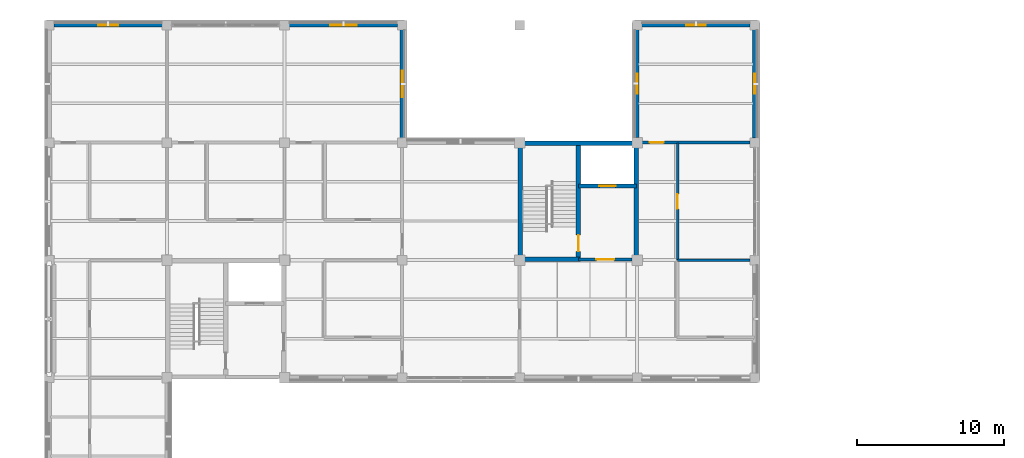
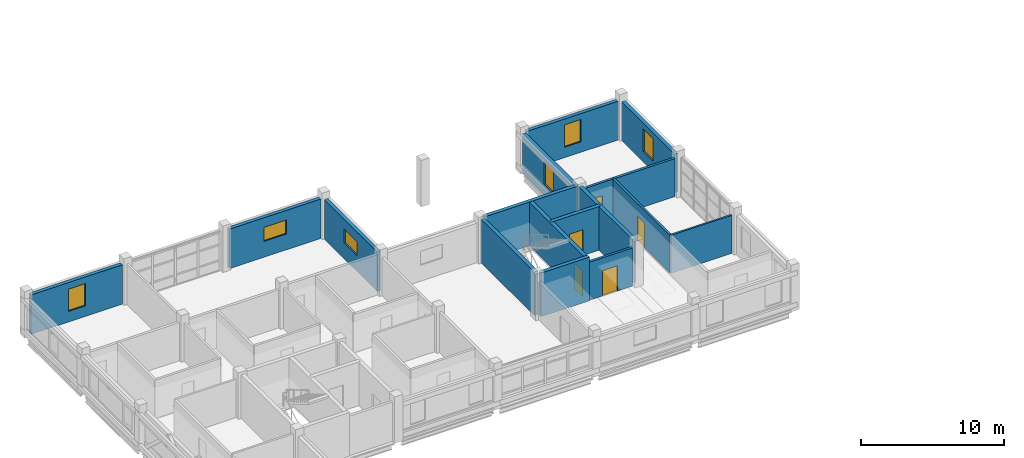
# One storey, part 80 of 107: 16 walls, 6 windows, 5 doors, 11 openings.
"""IFC4 building model written with IfcOpenShell, lengths in metres."""

import ifcopenshell
import ifcopenshell.guid

model = None  # the IFC model being written
_history = None  # IfcOwnerHistory: only IFC2X3 demands one
_inside = {}  # id of a spatial element -> (the spatial element, [elements in it])
_under = {}  # id of a project, library or spatial element -> (it, [spatial elements below it])
_declared = {}  # id of a project -> (the project, [libraries it declares])
_typed = {}  # id of a type object -> (the type object, [elements of that type])
_made_of = {}  # id of a material, layer set ... -> (it, [elements and type objects made of it])


def new_model(schema):
    """Start an empty IFC model of exactly this schema.

    Asked for "IFC4X3", IfcOpenShell would pick the latest addendum, in which some entities
    have other attributes; the version numbers below select the first issue.
    IFC2X3 requires an IfcOwnerHistory on every rooted entity: one is made here for all.
    """
    global model, _history
    if schema == "IFC4X3":
        model = ifcopenshell.file(schema_version=(4, 3, 0, 0))
    else:
        model = ifcopenshell.file(schema=schema)
    _inside.clear()
    _under.clear()
    _declared.clear()
    _typed.clear()
    _made_of.clear()
    _history = None
    if model.schema == "IFC2X3":
        org = make("IfcOrganization", Name="unknown")
        user = make(
            "IfcPersonAndOrganization",
            ThePerson=make("IfcPerson", FamilyName="unknown"),
            TheOrganization=org,
        )
        app = make(
            "IfcApplication",
            ApplicationDeveloper=org,
            Version="unknown",
            ApplicationFullName="unknown",
            ApplicationIdentifier="unknown",
        )
        _history = make(
            "IfcOwnerHistory",
            OwningUser=user,
            OwningApplication=app,
            ChangeAction="ADDED",
            CreationDate=0,
        )
    return model


def make(cls, **values):
    """One entity of the class cls with the attributes given. An attribute that is None is left unset."""
    return model.create_entity(
        cls, **{name: value for name, value in values.items() if value is not None}
    )


def rooted(cls, **values):
    """An entity with a GlobalId (a new one), such as an element, a storey or a relation."""
    return make(cls, GlobalId=ifcopenshell.guid.new(), OwnerHistory=_history, **values)


def si_unit(unit_type, name, prefix=None):
    """IfcSIUnit, for example si_unit("LENGTHUNIT", "METRE", prefix="MILLI")."""
    return make("IfcSIUnit", UnitType=unit_type, Prefix=prefix, Name=name)


def derived_unit(unit_type, elements):
    """IfcDerivedUnit: a product of units, each with its exponent."""
    return make(
        "IfcDerivedUnit",
        Elements=[
            make("IfcDerivedUnitElement", Unit=unit, Exponent=power)
            for unit, power in elements
        ],
        UnitType=unit_type,
    )


def assignment(units):
    """IfcUnitAssignment: the units of a project."""
    return None if units is None else make("IfcUnitAssignment", Units=units)


def point(xyz):
    """IfcCartesianPoint."""
    return None if xyz is None else make("IfcCartesianPoint", Coordinates=xyz)


def direction(xyz):
    """IfcDirection."""
    return None if xyz is None else make("IfcDirection", DirectionRatios=xyz)


def frame(location, z_axis=None, x_axis=None):
    """IfcAxis2Placement3D, a coordinate frame: its origin and axes. An axis left out is left unset."""
    return make(
        "IfcAxis2Placement3D",
        Location=point(location),
        Axis=direction(z_axis),
        RefDirection=direction(x_axis),
    )


def frame_2d(location, x_axis=None):
    """IfcAxis2Placement2D, a coordinate frame in the plane: its origin and x axis."""
    return make(
        "IfcAxis2Placement2D", Location=point(location), RefDirection=direction(x_axis)
    )


def origin():
    """The frame at (0, 0, 0) with its axes left unset."""
    return frame((0.0, 0.0, 0.0))


def place(relative_to, where):
    """IfcLocalPlacement: puts the frame where relative to a parent placement (None: the world)."""
    return make(
        "IfcLocalPlacement", PlacementRelTo=relative_to, RelativePlacement=where
    )


def context(
    kind, dimensions, precision=None, world=None, true_north=None, identifier=None
):
    """IfcGeometricRepresentationContext, for example the 3D "Model" context."""
    return make(
        "IfcGeometricRepresentationContext",
        ContextIdentifier=identifier,
        ContextType=kind,
        CoordinateSpaceDimension=dimensions,
        Precision=precision,
        WorldCoordinateSystem=world,
        TrueNorth=true_north,
    )


def subcontext(parent, identifier, kind, view, scale=None):
    """IfcGeometricRepresentationSubContext, for example "Body" below "Model"."""
    return make(
        "IfcGeometricRepresentationSubContext",
        ContextIdentifier=identifier,
        ContextType=kind,
        ParentContext=parent,
        TargetScale=scale,
        TargetView=view,
    )


def project(units=None, contexts=None):
    """IfcProject with its units and contexts."""
    return rooted(
        "IfcProject",
        Name="project",
        RepresentationContexts=contexts,
        UnitsInContext=assignment(units),
    )


def spatial(cls, under=None, at=None, **own):
    """A site, building, storey or space (cls), placed at a placement, below another one or the project."""
    s = rooted(cls, ObjectPlacement=at, **own)
    if under is not None:
        _under.setdefault(under.id(), (under, []))[1].append(s)
    return s


def profile(cls, at=None, kind="AREA", **sizes):
    """A parametric profile (cls). Its sizes go by their IFC names, for example OverallWidth=200.0."""
    return make(cls, ProfileType=kind, Position=at, **sizes)


def rectangle(**sizes):
    """IfcRectangleProfileDef."""
    return profile("IfcRectangleProfileDef", **sizes)


def extrude(swept, where, along, depth):
    """IfcExtrudedAreaSolid: the profile swept, set in the frame where, extruded along a direction by depth."""
    return make(
        "IfcExtrudedAreaSolid",
        SweptArea=swept,
        Position=where,
        ExtrudedDirection=direction(along),
        Depth=depth,
    )


def shape(context_of_items, identifier, shape_type, items):
    """IfcShapeRepresentation: the items that make up one representation, for example the "Body"."""
    return make(
        "IfcShapeRepresentation",
        ContextOfItems=context_of_items,
        RepresentationIdentifier=identifier,
        RepresentationType=shape_type,
        Items=items,
    )


def material(Name=None, Category=None):
    """IfcMaterial."""
    return make("IfcMaterial", Name=Name, Category=Category)


def layer(
    of_material, thickness, ventilated=None, Name=None, Category=None, Priority=None
):
    """IfcMaterialLayer: one layer of a wall or slab, of a material (None: an air gap)."""
    return make(
        "IfcMaterialLayer",
        Material=of_material,
        LayerThickness=thickness,
        IsVentilated=ventilated,
        Name=Name,
        Category=Category,
        Priority=Priority,
    )


def layer_set(layers, Name=None):
    """IfcMaterialLayerSet."""
    return make("IfcMaterialLayerSet", MaterialLayers=layers, LayerSetName=Name)


def made_of(thing, what):
    """Note that an element or type object is made of a material, layer set ...; save() writes the relation."""
    if what is not None:
        _made_of.setdefault(what.id(), (what, []))[1].append(thing)
    return thing


def type_object(cls, material=None, **own):
    """A type object (cls), such as IfcWallType, which elements share."""
    return made_of(rooted(cls, **own), material)


def element(
    cls,
    number,
    at=None,
    inside=None,
    cuts=None,
    type_object=None,
    material=None,
    context=None,
    identifier="Body",
    shape_type=None,
    held_by="IfcProductDefinitionShape",
    body=None,
    shapes=None,
    **own,
):
    """One element of the class cls, such as IfcWall. Its Tag is "e" and its number.

    at: its placement. inside: the storey or other place that contains it. cuts: it is an
    opening in that element (IfcRelVoidsElement). A single representation is given by context,
    identifier, shape_type and body (its items); several are given by shapes. held_by: the class
    of the entity that holds the representations. save() writes the other relations.
    """
    e = rooted(cls, Tag="e%d" % number, ObjectPlacement=at, **own)
    if body is not None:
        shapes = [shape(context, identifier, shape_type, body)]
    if shapes is not None:
        e.Representation = make(held_by, Representations=shapes)
    if inside is not None:
        _inside.setdefault(inside.id(), (inside, []))[1].append(e)
    if cuts is not None:
        rooted(
            "IfcRelVoidsElement", RelatingBuildingElement=cuts, RelatedOpeningElement=e
        )
    if type_object is not None:
        _typed.setdefault(type_object.id(), (type_object, []))[1].append(e)
    return made_of(e, material)


def fill(opening, filler):
    """IfcRelFillsElement: the door or window that sits in an opening."""
    return rooted(
        "IfcRelFillsElement",
        RelatingOpeningElement=opening,
        RelatedBuildingElement=filler,
    )


def aggregate(whole, parts):
    """IfcRelAggregates: a whole, such as a stair, and the parts it consists of."""
    return rooted("IfcRelAggregates", RelatingObject=whole, RelatedObjects=parts)


def save(model, path):
    """Write the relations noted so far, then the file.

    IfcRelAggregates (storeys below a building ...), IfcRelContainedInSpatialStructure (elements
    in a storey), IfcRelDefinesByType, IfcRelAssociatesMaterial and IfcRelDeclares: one each for
    every whole, place, type object, material and project.
    """
    for whole, parts in _under.values():
        aggregate(whole, parts)
    for where, things in _inside.values():
        rooted(
            "IfcRelContainedInSpatialStructure",
            RelatedElements=things,
            RelatingStructure=where,
        )
    for kind, things in _typed.values():
        rooted("IfcRelDefinesByType", RelatedObjects=things, RelatingType=kind)
    for what, things in _made_of.values():
        rooted("IfcRelAssociatesMaterial", RelatedObjects=things, RelatingMaterial=what)
    for by, libraries in _declared.values():
        rooted("IfcRelDeclares", RelatingContext=by, RelatedDefinitions=libraries)
    model.write(path)


model = new_model("IFC4")

# Units and contexts
model_context = context("Model", 3, precision=1e-05, world=origin(), true_north=direction((0.0, 1.0)))
body_context = subcontext(model_context, "Body", "Model", "MODEL_VIEW")
ifc_project = project(units=[si_unit("LENGTHUNIT", "METRE"), si_unit("AREAUNIT", "SQUARE_METRE"), si_unit("VOLUMEUNIT", "CUBIC_METRE"), si_unit("PLANEANGLEUNIT", "RADIAN"), si_unit("MASSUNIT", "GRAM", prefix="KILO"), derived_unit("THERMALTRANSMITTANCEUNIT", [(si_unit("MASSUNIT", "GRAM", prefix="KILO"), 1), (si_unit("TIMEUNIT", "SECOND"), -3), (si_unit("THERMODYNAMICTEMPERATUREUNIT", "KELVIN"), -1)])], contexts=[model_context])

# Site, building, storey
site_placement = place(None, origin())
site = spatial("IfcSite", under=ifc_project, at=site_placement, CompositionType="ELEMENT")
building_placement = place(site_placement, origin())
building = spatial("IfcBuilding", under=site, at=building_placement, Name="Veyamyaing Civic Hall", CompositionType="ELEMENT")
storey_placement = place(building_placement, frame((0.0, 0.0, 13.860107421875)))
storey = spatial("IfcBuildingStorey", under=building, at=storey_placement, Name="L03", CompositionType="ELEMENT", Elevation=13.860107421875)

# Wall, opening, window
ifc_material_1 = material(Name="Precast concrete C40/50", Category="concrete")
ifc_layer_1 = layer(ifc_material_1, 0.280029296875, Name="Precast concrete C40/50")
ifc_layer_set_1 = layer_set([ifc_layer_1], Name="Precast concrete C40/50")
wall_type_1 = type_object("IfcWallType", Name="WT-04", PredefinedType="SOLIDWALL", material=ifc_layer_set_1)
wall_1_placement = place(storey_placement, frame((0.31005859375, 112.0, 0.0), z_axis=(0.0, 0.0, 1.0), x_axis=(1.0, 0.0, 0.0)))
wall_1 = element("IfcWall", 1, at=wall_1_placement, inside=storey, type_object=wall_type_1, Name="Exterior facade wall WT-04 L03 N 1.14", PredefinedType="SOLIDWALL", context=body_context, shape_type="SweptSolid", body=[
    extrude(rectangle(XDim=7.3798828125, YDim=0.280029296875, at=frame_2d((3.68994140625, 0.0))), origin(), (0.0, 0.0, 1.0), 3.364013671875),
])
opening_1_placement = place(wall_1_placement, frame((3.014892578125, 0.0, 0.89990234375)))
opening_1 = element("IfcOpeningElement", 2, at=opening_1_placement, cuts=wall_1, Name="Opening W-13", PredefinedType="OPENING", context=body_context, shape_type="SweptSolid", body=[
    extrude(rectangle(XDim=1.35009765625, YDim=1.89990234375, at=frame_2d((0.675048828125, 0.949951171875))), frame((0.0, 0.14990234375, 0.0), z_axis=(0.0, -1.0, 0.0), x_axis=(1.0, 0.0, 0.0)), (0.0, 0.0, 1.0), 0.300048828125),
])
ifc_material_2 = material(Name="Low-E insulated glass", Category="glass")
window_type_1 = type_object("IfcWindowType", Name="W-13", PartitioningType="SINGLE_PANEL", PredefinedType="WINDOW", material=ifc_material_2)
window_1_placement = place(opening_1_placement, origin())
window_1 = element("IfcWindow", 3, at=window_1_placement, inside=storey, type_object=window_type_1, Name="Facade window W-13 L03 N 1.14", OverallHeight=1.89990234375, OverallWidth=1.35009765625, PartitioningType="SINGLE_PANEL", PredefinedType="WINDOW", context=body_context, shape_type="SweptSolid", body=[
    extrude(rectangle(XDim=1.35009765625, YDim=1.89990234375, at=frame_2d((0.675048828125, 0.949951171875))), frame((0.0, 0.030029296875, 0.0), z_axis=(0.0, -1.0, 0.0), x_axis=(1.0, 0.0, 0.0)), (0.0, 0.0, 1.0), 0.06005859375),
])
fill(opening_1, window_1)

wall_2_placement = place(storey_placement, frame((16.31005859375, 112.0, 0.0), z_axis=(0.0, 0.0, 1.0), x_axis=(1.0, 0.0, 0.0)))
wall_2 = element("IfcWall", 4, at=wall_2_placement, inside=storey, type_object=wall_type_1, Name="Exterior facade wall WT-04 L03 N 3.14", PredefinedType="SOLIDWALL", context=body_context, shape_type="SweptSolid", body=[
    extrude(rectangle(XDim=7.3798828125, YDim=0.280029296875, at=frame_2d((3.68994140625, 0.0))), origin(), (0.0, 0.0, 1.0), 3.366943359375),
])
opening_2_placement = place(wall_2_placement, frame((2.7900390625, 0.0, 1.35009765625)))
opening_2 = element("IfcOpeningElement", 5, at=opening_2_placement, cuts=wall_2, Name="Opening W-19", PredefinedType="OPENING", context=body_context, shape_type="SweptSolid", body=[
    extrude(rectangle(XDim=1.800048828125, YDim=1.199951171875, at=frame_2d((0.89990234375, 0.60009765625))), frame((0.0, 0.14990234375, 0.0), z_axis=(0.0, -1.0, 0.0), x_axis=(1.0, 0.0, 0.0)), (0.0, 0.0, 1.0), 0.300048828125),
])
window_type_2 = type_object("IfcWindowType", Name="W-19", PartitioningType="SINGLE_PANEL", PredefinedType="WINDOW", material=ifc_material_2)
window_2_placement = place(opening_2_placement, origin())
window_2 = element("IfcWindow", 6, at=window_2_placement, inside=storey, type_object=window_type_2, Name="Facade window W-19 L03 N 3.14", OverallHeight=1.199951171875, OverallWidth=1.800048828125, PartitioningType="SINGLE_PANEL", PredefinedType="WINDOW", context=body_context, shape_type="SweptSolid", body=[
    extrude(rectangle(XDim=1.800048828125, YDim=1.199951171875, at=frame_2d((0.89990234375, 0.60009765625))), frame((0.0, 0.030029296875, 0.0), z_axis=(0.0, -1.0, 0.0), x_axis=(1.0, 0.0, 0.0)), (0.0, 0.0, 1.0), 0.06005859375),
])
fill(opening_2, window_2)

wall_3_placement = place(storey_placement, frame((24.0, 104.31005859375, 0.0), z_axis=(0.0, 0.0, 1.0), x_axis=(0.0, 1.0, 0.0)))
wall_3 = element("IfcWall", 7, at=wall_3_placement, inside=storey, type_object=wall_type_1, Name="Exterior facade wall WT-04 L03 E 3.14", PredefinedType="SOLIDWALL", context=body_context, shape_type="SweptSolid", body=[
    extrude(rectangle(XDim=7.3798828125, YDim=0.280029296875, at=frame_2d((3.68994140625, 0.0))), origin(), (0.0, 0.0, 1.0), 3.366943359375),
])
opening_3_placement = place(wall_3_placement, frame((2.7900390625, 0.0, 1.35009765625)))
opening_3 = element("IfcOpeningElement", 8, at=opening_3_placement, cuts=wall_3, Name="Opening W-19", PredefinedType="OPENING", context=body_context, shape_type="SweptSolid", body=[
    extrude(rectangle(XDim=1.800048828125, YDim=1.199951171875, at=frame_2d((0.89990234375, 0.60009765625))), frame((0.0, 0.14990234375, 0.0), z_axis=(0.0, -1.0, 0.0), x_axis=(1.0, 0.0, 0.0)), (0.0, 0.0, 1.0), 0.300048828125),
])
window_3_placement = place(opening_3_placement, origin())
window_3 = element("IfcWindow", 9, at=window_3_placement, inside=storey, type_object=window_type_2, Name="Facade window W-19 L03 E 3.14", OverallHeight=1.199951171875, OverallWidth=1.800048828125, PartitioningType="SINGLE_PANEL", PredefinedType="WINDOW", context=body_context, shape_type="SweptSolid", body=[
    extrude(rectangle(XDim=1.800048828125, YDim=1.199951171875, at=frame_2d((0.89990234375, 0.60009765625))), frame((0.0, 0.030029296875, 0.0), z_axis=(0.0, -1.0, 0.0), x_axis=(1.0, 0.0, 0.0)), (0.0, 0.0, 1.0), 0.06005859375),
])
fill(opening_3, window_3)

wall_4_placement = place(storey_placement, frame((40.31005859375, 112.0, 0.0), z_axis=(0.0, 0.0, 1.0), x_axis=(1.0, 0.0, 0.0)))
wall_4 = element("IfcWall", 10, at=wall_4_placement, inside=storey, type_object=wall_type_1, Name="Exterior facade wall WT-04 L03 N 6.14", PredefinedType="SOLIDWALL", context=body_context, shape_type="SweptSolid", body=[
    extrude(rectangle(XDim=7.3798828125, YDim=0.280029296875, at=frame_2d((3.68994140625, 0.0))), origin(), (0.0, 0.0, 1.0), 3.303955078125),
])
opening_4_placement = place(wall_4_placement, frame((3.014892578125, 0.0, 0.89990234375)))
opening_4 = element("IfcOpeningElement", 11, at=opening_4_placement, cuts=wall_4, Name="Opening W-13", PredefinedType="OPENING", context=body_context, shape_type="SweptSolid", body=[
    extrude(rectangle(XDim=1.35009765625, YDim=1.89990234375, at=frame_2d((0.675048828125, 0.949951171875))), frame((0.0, 0.14990234375, 0.0), z_axis=(0.0, -1.0, 0.0), x_axis=(1.0, 0.0, 0.0)), (0.0, 0.0, 1.0), 0.300048828125),
])
window_4_placement = place(opening_4_placement, origin())
window_4 = element("IfcWindow", 12, at=window_4_placement, inside=storey, type_object=window_type_1, Name="Facade window W-13 L03 N 6.14", OverallHeight=1.89990234375, OverallWidth=1.35009765625, PartitioningType="SINGLE_PANEL", PredefinedType="WINDOW", context=body_context, shape_type="SweptSolid", body=[
    extrude(rectangle(XDim=1.35009765625, YDim=1.89990234375, at=frame_2d((0.675048828125, 0.949951171875))), frame((0.0, 0.030029296875, 0.0), z_axis=(0.0, -1.0, 0.0), x_axis=(1.0, 0.0, 0.0)), (0.0, 0.0, 1.0), 0.06005859375),
])
fill(opening_4, window_4)

wall_5_placement = place(storey_placement, frame((40.0, 104.3349609375, 0.0), z_axis=(0.0, 0.0, 1.0), x_axis=(0.0, 1.0, 0.0)))
wall_5 = element("IfcWall", 13, at=wall_5_placement, inside=storey, type_object=wall_type_1, Name="Exterior facade wall WT-04 L03 W 6.14", PredefinedType="SOLIDWALL", context=body_context, shape_type="SweptSolid", body=[
    extrude(rectangle(XDim=7.35498046875, YDim=0.280029296875, at=frame_2d((3.677490234375, 0.0))), origin(), (0.0, 0.0, 1.0), 3.364013671875),
])
opening_5_placement = place(wall_5_placement, frame((3.00244140625, 0.0, 0.89990234375)))
opening_5 = element("IfcOpeningElement", 14, at=opening_5_placement, cuts=wall_5, Name="Opening W-13", PredefinedType="OPENING", context=body_context, shape_type="SweptSolid", body=[
    extrude(rectangle(XDim=1.35009765625, YDim=1.89990234375, at=frame_2d((0.675048828125, 0.949951171875))), frame((0.0, 0.14990234375, 0.0), z_axis=(0.0, -1.0, 0.0), x_axis=(1.0, 0.0, 0.0)), (0.0, 0.0, 1.0), 0.300048828125),
])
window_5_placement = place(opening_5_placement, origin())
window_5 = element("IfcWindow", 15, at=window_5_placement, inside=storey, type_object=window_type_1, Name="Facade window W-13 L03 W 6.14", OverallHeight=1.89990234375, OverallWidth=1.35009765625, PartitioningType="SINGLE_PANEL", PredefinedType="WINDOW", context=body_context, shape_type="SweptSolid", body=[
    extrude(rectangle(XDim=1.35009765625, YDim=1.89990234375, at=frame_2d((0.675048828125, 0.949951171875))), frame((0.0, 0.030029296875, 0.0), z_axis=(0.0, -1.0, 0.0), x_axis=(1.0, 0.0, 0.0)), (0.0, 0.0, 1.0), 0.06005859375),
])
fill(opening_5, window_5)

wall_6_placement = place(storey_placement, frame((48.0, 104.31005859375, 0.0), z_axis=(0.0, 0.0, 1.0), x_axis=(0.0, 1.0, 0.0)))
wall_6 = element("IfcWall", 16, at=wall_6_placement, inside=storey, type_object=wall_type_1, Name="Exterior facade wall WT-04 L03 E 6.14", PredefinedType="SOLIDWALL", context=body_context, shape_type="SweptSolid", body=[
    extrude(rectangle(XDim=7.3798828125, YDim=0.280029296875, at=frame_2d((3.68994140625, 0.0))), origin(), (0.0, 0.0, 1.0), 3.303955078125),
])
opening_6_placement = place(wall_6_placement, frame((3.014892578125, 0.0, 0.89990234375)))
opening_6 = element("IfcOpeningElement", 17, at=opening_6_placement, cuts=wall_6, Name="Opening W-13", PredefinedType="OPENING", context=body_context, shape_type="SweptSolid", body=[
    extrude(rectangle(XDim=1.35009765625, YDim=1.89990234375, at=frame_2d((0.675048828125, 0.949951171875))), frame((0.0, 0.14990234375, 0.0), z_axis=(0.0, -1.0, 0.0), x_axis=(1.0, 0.0, 0.0)), (0.0, 0.0, 1.0), 0.300048828125),
])
window_6_placement = place(opening_6_placement, origin())
window_6 = element("IfcWindow", 18, at=window_6_placement, inside=storey, type_object=window_type_1, Name="Facade window W-13 L03 E 6.14", OverallHeight=1.89990234375, OverallWidth=1.35009765625, PartitioningType="SINGLE_PANEL", PredefinedType="WINDOW", context=body_context, shape_type="SweptSolid", body=[
    extrude(rectangle(XDim=1.35009765625, YDim=1.89990234375, at=frame_2d((0.675048828125, 0.949951171875))), frame((0.0, 0.030029296875, 0.0), z_axis=(0.0, -1.0, 0.0), x_axis=(1.0, 0.0, 0.0)), (0.0, 0.0, 1.0), 0.06005859375),
])
fill(opening_6, window_6)

# Walls
ifc_material_3 = material(Name="Concrete C40/50", Category="concrete")
ifc_layer_2 = layer(ifc_material_3, 0.300048828125, Name="Concrete C40/50")
ifc_layer_set_2 = layer_set([ifc_layer_2], Name="Concrete C40/50")
wall_type_2 = type_object("IfcWallType", Name="WT-05", PredefinedType="SHEAR", material=ifc_layer_set_2)
for number, where, z_axis, x_axis, name in (
    (19, (32.050048828125, 96.239990234375, 0.0), (0.0, 0.0, 1.0), (0.0, 1.0, 0.0), "Core shear wall WT-05 CORE-2 L03.W"),
    (20, (32.239990234375, 103.949951171875, 0.0), (0.0, 0.0, 1.0), (1.0, 0.0, 0.0), "Core shear wall WT-05 CORE-2 L03.N"),
    (21, (39.949951171875, 96.239990234375, 0.0), (0.0, 0.0, 1.0), (0.0, 1.0, 0.0), "Core shear wall WT-05 CORE-2 L03.E"),
):
    element("IfcWall", number, at=place(storey_placement, frame(where, z_axis=z_axis, x_axis=x_axis)), inside=storey, type_object=wall_type_2, Name=name, PredefinedType="SHEAR", context=body_context, shape_type="SweptSolid", body=[
        extrude(rectangle(XDim=7.52001953125, YDim=0.300048828125, at=frame_2d((3.760009765625, 0.0))), origin(), (0.0, 0.0, 1.0), 3.724853515625),
    ])
wall_7_placement = place(storey_placement, frame((32.239990234375, 96.050048828125, 0.0), z_axis=(0.0, 0.0, 1.0), x_axis=(1.0, 0.0, 0.0)))
element("IfcWall", 22, at=wall_7_placement, inside=storey, type_object=wall_type_2, Name="Core shear wall WT-05 CORE-2 L03.SS", PredefinedType="SHEAR", context=body_context, shape_type="SweptSolid", body=[
    extrude(rectangle(XDim=3.909912109375, YDim=0.300048828125, at=frame_2d((1.955078125, 0.0))), origin(), (0.0, 0.0, 1.0), 3.724853515625),
])

# Wall, opening, door
wall_8_placement = place(storey_placement, frame((36.0, 96.050048828125, 0.0), z_axis=(0.0, 0.0, 1.0), x_axis=(0.0, 1.0, 0.0)))
wall_8 = element("IfcWall", 23, at=wall_8_placement, inside=storey, type_object=wall_type_2, Name="Core shear wall WT-05 CORE-2 L03.MID", PredefinedType="SHEAR", context=body_context, shape_type="SweptSolid", body=[
    extrude(rectangle(XDim=7.89990234375, YDim=0.300048828125, at=frame_2d((3.949951171875, 0.0))), origin(), (0.0, 0.0, 1.0), 3.724853515625),
])
opening_7_placement = place(wall_8_placement, frame((0.550048828125, 0.0, 0.0)))
opening_7 = element("IfcOpeningElement", 24, at=opening_7_placement, cuts=wall_8, Name="Opening D-03", PredefinedType="OPENING", context=body_context, shape_type="SweptSolid", body=[
    extrude(rectangle(XDim=1.10009765625, YDim=2.14990234375, at=frame_2d((0.550048828125, 1.074951171875))), frame((0.0, 0.159912109375, 0.0), z_axis=(0.0, -1.0, 0.0), x_axis=(1.0, 0.0, 0.0)), (0.0, 0.0, 1.0), 0.320068359375),
])
ifc_material_4 = material(Name="Galvanized steel S355J2", Category="steel")
door_type_1 = type_object("IfcDoorType", Name="D-03", OperationType="NOTDEFINED", PredefinedType="DOOR", material=ifc_material_4)
door_1_placement = place(opening_7_placement, origin())
door_1 = element("IfcDoor", 25, at=door_1_placement, inside=storey, type_object=door_type_1, Name="Exit stair fire door D-03 ST-02 L03", OperationType="SINGLE_SWING_LEFT", OverallHeight=2.14990234375, OverallWidth=1.10009765625, PredefinedType="DOOR", context=body_context, shape_type="SweptSolid", body=[
    extrude(rectangle(XDim=1.10009765625, YDim=2.14990234375, at=frame_2d((0.550048828125, 1.074951171875))), frame((0.0, 0.02490234375, 0.0), z_axis=(0.0, -1.0, 0.0), x_axis=(1.0, 0.0, 0.0)), (0.0, 0.0, 1.0), 0.050048828125),
])
fill(opening_7, door_1)

wall_9_placement = place(storey_placement, frame((36.0, 101.050048828125, 0.0), z_axis=(0.0, 0.0, 1.0), x_axis=(1.0, 0.0, 0.0)))
wall_9 = element("IfcWall", 26, at=wall_9_placement, inside=storey, type_object=wall_type_2, Name="Core shear wall WT-05 CORE-2 L03.LFT", PredefinedType="SHEAR", context=body_context, shape_type="SweptSolid", body=[
    extrude(rectangle(XDim=3.949951171875, YDim=0.300048828125, at=frame_2d((1.97509765625, 0.0))), origin(), (0.0, 0.0, 1.0), 3.724853515625),
])
opening_8_placement = place(wall_9_placement, frame((1.425048828125, 0.0, 0.0)))
opening_8 = element("IfcOpeningElement", 27, at=opening_8_placement, cuts=wall_9, Name="Opening LD-01", PredefinedType="OPENING", context=body_context, shape_type="SweptSolid", body=[
    extrude(rectangle(XDim=1.10009765625, YDim=2.199951171875, at=frame_2d((0.550048828125, 1.10009765625))), frame((0.0, 0.159912109375, 0.0), z_axis=(0.0, -1.0, 0.0), x_axis=(1.0, 0.0, 0.0)), (0.0, 0.0, 1.0), 0.320068359375),
])
ifc_material_5 = material(Name="Anodised aluminium 6063-T6", Category="aluminium")
door_type_2 = type_object("IfcDoorType", Name="LD-01", OperationType="SLIDING_TO_LEFT", PredefinedType="DOOR", material=ifc_material_5)
door_2_placement = place(opening_8_placement, origin())
door_2 = element("IfcDoor", 28, at=door_2_placement, inside=storey, type_object=door_type_2, Name="Lift sliding landing door LD-01 PL-01 L03", OperationType="SLIDING_TO_LEFT", OverallHeight=2.199951171875, OverallWidth=1.10009765625, PredefinedType="DOOR", context=body_context, shape_type="SweptSolid", body=[
    extrude(rectangle(XDim=1.10009765625, YDim=2.199951171875, at=frame_2d((0.550048828125, 1.10009765625))), frame((0.0, 0.02490234375, 0.0), z_axis=(0.0, -1.0, 0.0), x_axis=(1.0, 0.0, 0.0)), (0.0, 0.0, 1.0), 0.050048828125),
])
fill(opening_8, door_2)

ifc_layer_3 = layer(ifc_material_3, 0.199951171875, Name="Concrete C40/50")
ifc_layer_set_3 = layer_set([ifc_layer_3], Name="Concrete C40/50")
wall_type_3 = type_object("IfcWallType", Name="WT-06", PredefinedType="PARTITIONING", material=ifc_layer_set_3)
wall_10_placement = place(storey_placement, frame((36.0, 96.050048828125, 0.0), z_axis=(0.0, 0.0, 1.0), x_axis=(1.0, 0.0, 0.0)))
wall_10 = element("IfcWall", 29, at=wall_10_placement, inside=storey, type_object=wall_type_3, Name="Firefighting lift lobby wall WT-06 CORE-2 L03", PredefinedType="PARTITIONING", context=body_context, shape_type="SweptSolid", body=[
    extrude(rectangle(XDim=3.659912109375, YDim=0.199951171875, at=frame_2d((1.830078125, 0.0))), origin(), (0.0, 0.0, 1.0), 3.246826171875),
])
opening_9_placement = place(wall_10_placement, frame((1.22998046875, 0.0, 0.0)))
opening_9 = element("IfcOpeningElement", 30, at=opening_9_placement, cuts=wall_10, Name="Opening D-04", PredefinedType="OPENING", context=body_context, shape_type="SweptSolid", body=[
    extrude(rectangle(XDim=1.199951171875, YDim=2.14990234375, at=frame_2d((0.60009765625, 1.074951171875))), frame((0.0, 0.10986328125, 0.0), z_axis=(0.0, -1.0, 0.0), x_axis=(1.0, 0.0, 0.0)), (0.0, 0.0, 1.0), 0.219970703125),
])
door_type_3 = type_object("IfcDoorType", Name="D-04", OperationType="NOTDEFINED", PredefinedType="DOOR", material=ifc_material_4)
door_3_placement = place(opening_9_placement, frame((1.199951171875, 0.0, 0.0), z_axis=(0.0, 0.0, 1.0), x_axis=(-1.0, 0.0, 0.0)))
door_3 = element("IfcDoor", 31, at=door_3_placement, inside=storey, type_object=door_type_3, Name="Protected lobby fire door D-04 CORE-2 L03", OperationType="SINGLE_SWING_RIGHT", OverallHeight=2.14990234375, OverallWidth=1.199951171875, PredefinedType="DOOR", context=body_context, shape_type="SweptSolid", body=[
    extrude(rectangle(XDim=1.199951171875, YDim=2.14990234375, at=frame_2d((0.60009765625, 1.074951171875))), frame((0.0, 0.02490234375, 0.0), z_axis=(0.0, -1.0, 0.0), x_axis=(1.0, 0.0, 0.0)), (0.0, 0.0, 1.0), 0.050048828125),
])
fill(opening_9, door_3)

wall_11_placement = place(storey_placement, frame((40.340087890625, 104.0, 0.0), z_axis=(0.0, 0.0, 1.0), x_axis=(1.0, 0.0, 0.0)))
wall_11 = element("IfcWall", 32, at=wall_11_placement, inside=storey, type_object=wall_type_3, Name="Interior partition wall WT-06 L03.11", PredefinedType="PARTITIONING", context=body_context, shape_type="SweptSolid", body=[
    extrude(rectangle(XDim=7.344970703125, YDim=0.199951171875, at=frame_2d((3.67236328125, 0.0))), origin(), (0.0, 0.0, 1.0), 3.240966796875),
])
opening_10_placement = place(wall_11_placement, frame((0.52001953125, 0.0, 0.0)))
opening_10 = element("IfcOpeningElement", 33, at=opening_10_placement, cuts=wall_11, Name="Opening D-30", PredefinedType="OPENING", context=body_context, shape_type="SweptSolid", body=[
    extrude(rectangle(XDim=0.93994140625, YDim=2.1201171875, at=frame_2d((0.469970703125, 1.06005859375))), frame((0.0, 0.10986328125, 0.0), z_axis=(0.0, -1.0, 0.0), x_axis=(1.0, 0.0, 0.0)), (0.0, 0.0, 1.0), 0.219970703125),
])
ifc_material_6 = material(Name="Teak-veneered acoustic timber", Category="wood")
door_type_4 = type_object("IfcDoorType", Name="D-30", OperationType="NOTDEFINED", PredefinedType="DOOR", material=ifc_material_6)
door_4_placement = place(opening_10_placement, origin())
door_4 = element("IfcDoor", 34, at=door_4_placement, inside=storey, type_object=door_type_4, Name="Interior door D-30 L03.11", OperationType="SINGLE_SWING_LEFT", OverallHeight=2.1201171875, OverallWidth=0.93994140625, PredefinedType="DOOR", context=body_context, shape_type="SweptSolid", body=[
    extrude(rectangle(XDim=0.93994140625, YDim=2.1201171875, at=frame_2d((0.469970703125, 1.06005859375))), frame((0.0, 0.02490234375, 0.0), z_axis=(0.0, -1.0, 0.0), x_axis=(1.0, 0.0, 0.0)), (0.0, 0.0, 1.0), 0.050048828125),
])
fill(opening_10, door_4)

ifc_material_7 = material(Name="Gypsum board on acoustic steel stud", Category="steel")
ifc_layer_4 = layer(ifc_material_7, 0.175048828125, Name="Gypsum board on acoustic steel stud")
ifc_layer_set_4 = layer_set([ifc_layer_4], Name="Gypsum board on acoustic steel stud")
wall_type_4 = type_object("IfcWallType", Name="WT-07", PredefinedType="PARTITIONING", material=ifc_layer_set_4)
wall_12_placement = place(storey_placement, frame((42.75, 96.02001953125, 0.0), z_axis=(0.0, 0.0, 1.0), x_axis=(0.0, 1.0, 0.0)))
wall_12 = element("IfcWall", 35, at=wall_12_placement, inside=storey, type_object=wall_type_4, Name="Corridor gallery partition WT-07 L03.17.1", PredefinedType="PARTITIONING", context=body_context, shape_type="SweptSolid", body=[
    extrude(rectangle(XDim=7.9599609375, YDim=0.175048828125, at=frame_2d((3.97998046875, 0.0))), origin(), (0.0, 0.0, 1.0), 3.240966796875),
])
opening_11_placement = place(wall_12_placement, frame((3.47998046875, 0.0, 0.0)))
opening_11 = element("IfcOpeningElement", 36, at=opening_11_placement, cuts=wall_12, Name="Opening D-13", PredefinedType="OPENING", context=body_context, shape_type="SweptSolid", body=[
    extrude(rectangle(XDim=1.0, YDim=2.14990234375, at=frame_2d((0.5, 1.074951171875))), frame((0.0, 0.097412109375, 0.0), z_axis=(0.0, -1.0, 0.0), x_axis=(1.0, 0.0, 0.0)), (0.0, 0.0, 1.0), 0.195068359375),
])
door_type_5 = type_object("IfcDoorType", Name="D-13", OperationType="NOTDEFINED", PredefinedType="DOOR", material=ifc_material_6)
door_5_placement = place(opening_11_placement, frame((1.0, 0.0, 0.0), z_axis=(0.0, 0.0, 1.0), x_axis=(-1.0, 0.0, 0.0)))
door_5 = element("IfcDoor", 37, at=door_5_placement, inside=storey, type_object=door_type_5, Name="Gallery office door D-13 L03.17", OperationType="SINGLE_SWING_LEFT", OverallHeight=2.14990234375, OverallWidth=1.0, PredefinedType="DOOR", context=body_context, shape_type="SweptSolid", body=[
    extrude(rectangle(XDim=1.0, YDim=2.14990234375, at=frame_2d((0.5, 1.074951171875))), frame((0.0, 0.02490234375, 0.0), z_axis=(0.0, -1.0, 0.0), x_axis=(1.0, 0.0, 0.0)), (0.0, 0.0, 1.0), 0.050048828125),
])
fill(opening_11, door_5)

# Wall
ifc_material_8 = material(Name="Gypsum board on steel stud", Category="steel")
ifc_layer_5 = layer(ifc_material_8, 0.14990234375, Name="Gypsum board on steel stud")
ifc_layer_set_5 = layer_set([ifc_layer_5], Name="Gypsum board on steel stud")
wall_type_5 = type_object("IfcWallType", Name="WT-08", PredefinedType="PARTITIONING", material=ifc_layer_set_5)
wall_13_placement = place(storey_placement, frame((42.75, 96.0, 0.0), z_axis=(0.0, 0.0, 1.0), x_axis=(1.0, 0.0, 0.0)))
element("IfcWall", 38, at=wall_13_placement, inside=storey, type_object=wall_type_5, Name="Gallery office end partition WT-08 L03.16.1", PredefinedType="PARTITIONING", context=body_context, shape_type="SweptSolid", body=[
    extrude(rectangle(XDim=4.9150390625, YDim=0.14990234375, at=frame_2d((2.45751953125, 0.0))), origin(), (0.0, 0.0, 1.0), 3.2529296875),
])

save(model, "model.ifc")
